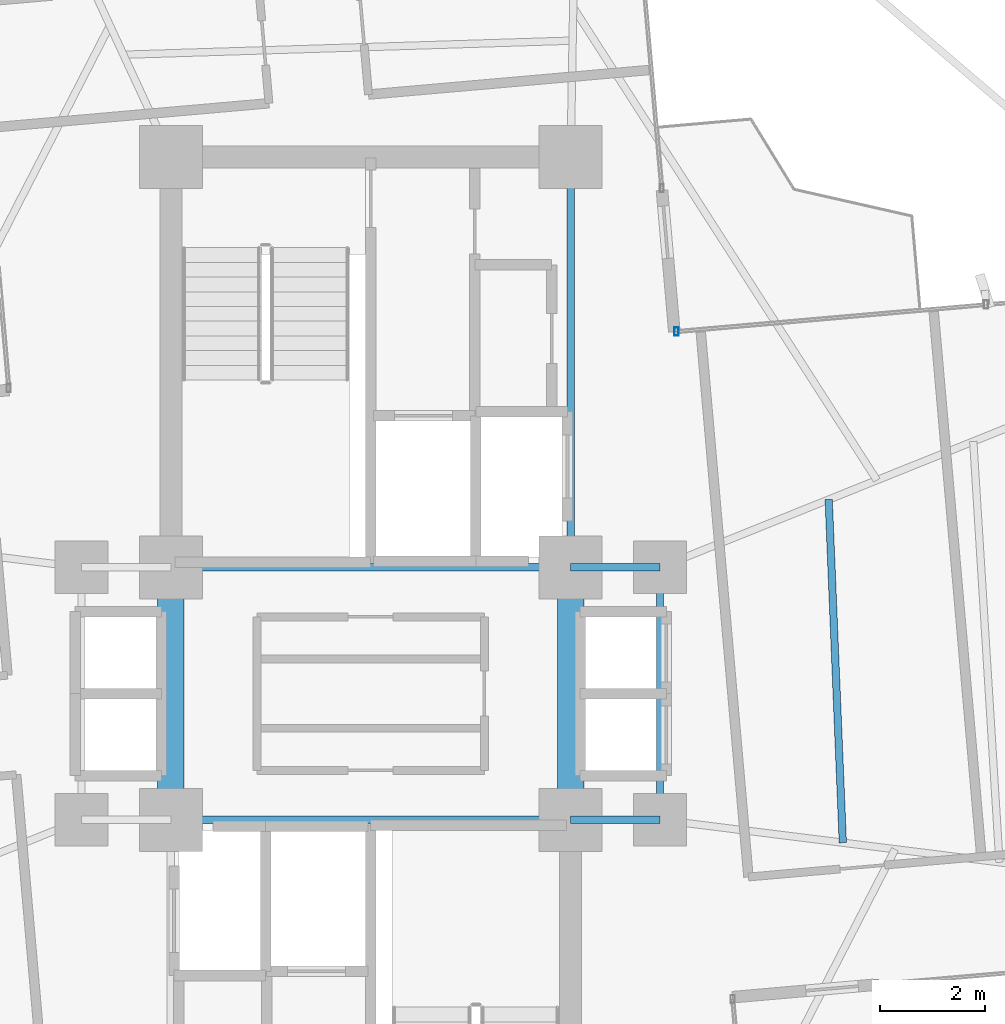
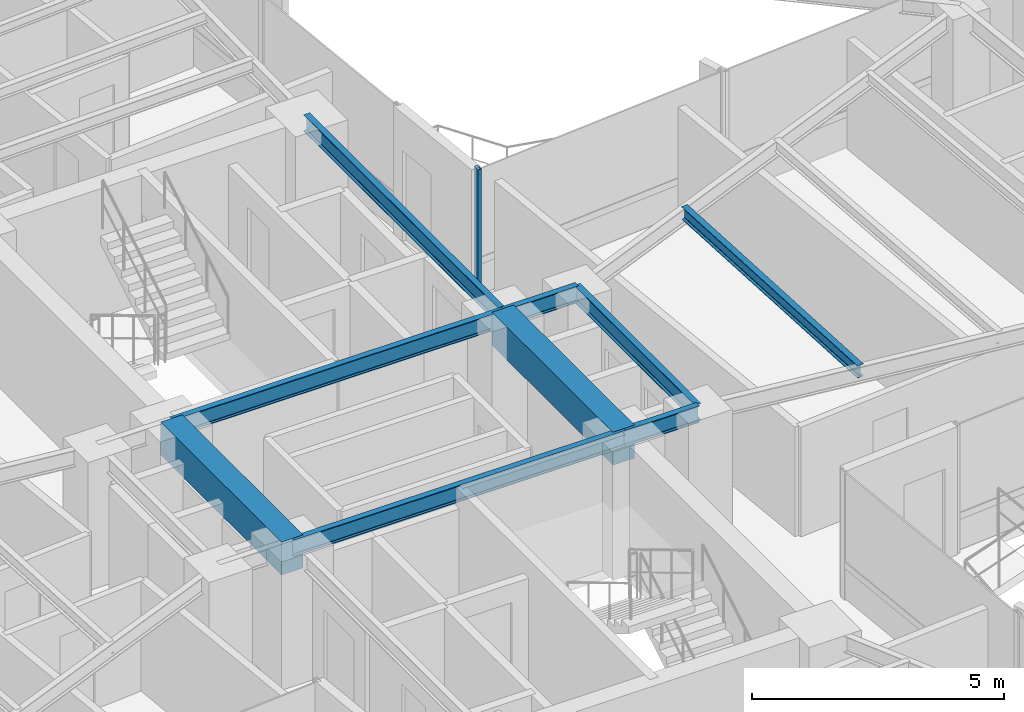
# One storey, part 11 of 24: 9 beams, 1 member, 1 element without a shape of its own.
"""IFC4 building model written with IfcOpenShell, lengths in metres."""

from ifc_helpers import new_model, si_unit, direction, frame, origin, origin_2d, place, context, subcontext, project, spatial, rectangle, hollow_rectangle, i_section, extrude, source, transform, mapped, material, material_profile, profile_set, type_object, element, aggregate, save


model = new_model("IFC4")

# Units and contexts
model_context = context("Model", 3, precision=1e-05, world=origin(), true_north=direction((0.0, 1.0)))
body_context = subcontext(model_context, "Body", "Model", "MODEL_VIEW")
ifc_project = project(units=[si_unit("LENGTHUNIT", "METRE"), si_unit("AREAUNIT", "SQUARE_METRE"), si_unit("VOLUMEUNIT", "CUBIC_METRE"), si_unit("PLANEANGLEUNIT", "RADIAN"), si_unit("MASSUNIT", "GRAM", prefix="KILO")], contexts=[model_context])

# Site, building, storey
site_placement = place(None, origin())
site = spatial("IfcSite", under=ifc_project, at=site_placement, CompositionType="ELEMENT")
building_placement = place(site_placement, origin())
building = spatial("IfcBuilding", under=site, at=building_placement, Name="Sahyath Konkavel Grand Hotel", CompositionType="ELEMENT")
storey_placement = place(building_placement, frame((0.0, 0.0, 157.300048828125)))
storey = spatial("IfcBuildingStorey", under=building, at=storey_placement, Name="L43", CompositionType="ELEMENT", Elevation=157.300048828125)

# Beams
ifc_material_1 = material(Name="Steel E350", Category="steel")
ifc_material_profile_1 = material_profile(ifc_material_1, i_section(OverallWidth=0.139892578125, OverallDepth=0.39990234375, WebThickness=0.0087890625, FlangeThickness=0.01611328125, FilletRadius=0.013916015625, at=origin_2d()), Name="ISMB 400")
ifc_profile_set_1 = profile_set([ifc_material_profile_1], Name="Steel E350")
beam_type_1 = type_object("IfcBeamType", Name="BM-ISMB400", PredefinedType="BEAM", material=ifc_profile_set_1)
shared_shape_1 = source(origin(), body_context, "Body", "SweptSolid", [
    extrude(i_section(OverallWidth=0.139892578125, OverallDepth=0.39990234375, WebThickness=0.0087890625, FlangeThickness=0.01611328125, FilletRadius=0.013916015625, at=origin_2d()), origin(), (0.0, 0.0, 1.0), 7.60009765625),
])
for number, where, z_axis, x_axis, name in (
    (1, (-3.800048828125, 2.39990234375, 2.909912109375), (1.0, 0.0, 0.0), (0.0, 1.0, 0.0), "str:bm:L43:NC-S"),
    (2, (-3.800048828125, -2.39990234375, 2.909912109375), (1.0, 0.0, 0.0), (0.0, 1.0, 0.0), "str:bm:L43:SC-N"),
):
    element("IfcBeam", number, at=place(storey_placement, frame(where, z_axis=z_axis, x_axis=x_axis)), inside=storey, type_object=beam_type_1, Name=name, PredefinedType="BEAM", context=body_context, shape_type="MappedRepresentation", body=[
        mapped(shared_shape_1, transform((0.0, 0.0, 0.0), scale=1.0)),
    ])
shared_shape_2 = source(origin(), body_context, "Body", "SweptSolid", [
    extrude(i_section(OverallWidth=0.139892578125, OverallDepth=0.39990234375, WebThickness=0.0087890625, FlangeThickness=0.01611328125, FilletRadius=0.013916015625, at=origin_2d()), origin(), (0.0, 0.0, 1.0), 7.800048828125),
])
beam_1_placement = place(storey_placement, frame((3.800048828125, 2.39990234375, 2.909912109375), z_axis=(0.0, 1.0, 0.0), x_axis=(-1.0, 0.0, 0.0)))
element("IfcBeam", 3, at=beam_1_placement, inside=storey, type_object=beam_type_1, Name="str:bm:L43:NC-E", PredefinedType="BEAM", context=body_context, shape_type="MappedRepresentation", body=[
    mapped(shared_shape_2, transform((0.0, 0.0, 0.0), scale=1.0)),
])
shared_shape_3 = source(origin(), body_context, "Body", "SweptSolid", [
    extrude(i_section(OverallWidth=0.139892578125, OverallDepth=0.39990234375, WebThickness=0.0087890625, FlangeThickness=0.01611328125, FilletRadius=0.013916015625, at=origin_2d()), origin(), (0.0, 0.0, 1.0), 1.699951171875),
])
for number, where, z_axis, x_axis, name in (
    (4, (3.800048828125, 2.39990234375, 2.909912109375), (1.0, 0.0, 0.0), (0.0, 1.0, 0.0), "str:bm:L43:HB-NE"),
    (5, (3.800048828125, -2.39990234375, 2.909912109375), (1.0, 0.0, 0.0), (0.0, 1.0, 0.0), "str:bm:L43:HB-SE"),
):
    element("IfcBeam", number, at=place(storey_placement, frame(where, z_axis=z_axis, x_axis=x_axis)), inside=storey, type_object=beam_type_1, Name=name, PredefinedType="BEAM", context=body_context, shape_type="MappedRepresentation", body=[
        mapped(shared_shape_3, transform((0.0, 0.0, 0.0), scale=1.0)),
    ])
shared_shape_4 = source(origin(), body_context, "Body", "SweptSolid", [
    extrude(i_section(OverallWidth=0.139892578125, OverallDepth=0.39990234375, WebThickness=0.0087890625, FlangeThickness=0.01611328125, FilletRadius=0.013916015625, at=origin_2d()), origin(), (0.0, 0.0, 1.0), 4.7998046875),
])
beam_2_placement = place(storey_placement, frame((5.5, -2.39990234375, 2.909912109375), z_axis=(0.0, 1.0, 0.0), x_axis=(-1.0, 0.0, 0.0)))
element("IfcBeam", 6, at=beam_2_placement, inside=storey, type_object=beam_type_1, Name="str:bm:L43:HB-E", PredefinedType="BEAM", context=body_context, shape_type="MappedRepresentation", body=[
    mapped(shared_shape_4, transform((0.0, 0.0, 0.0), scale=1.0)),
])
ifc_material_2 = material(Name="Concrete C50/60", Category="concrete")
ifc_material_profile_2 = material_profile(ifc_material_2, rectangle(XDim=0.5, YDim=0.800048828125, at=origin_2d()), Name="RC 500x800")
ifc_profile_set_2 = profile_set([ifc_material_profile_2], Name="Concrete C50/60")
beam_type_2 = type_object("IfcBeamType", Name="BM-CB500x800", PredefinedType="LINTEL", material=ifc_profile_set_2)
shared_shape_5 = source(origin(), body_context, "Body", "SweptSolid", [
    extrude(rectangle(XDim=0.5, YDim=0.800048828125, at=origin_2d()), origin(), (0.0, 0.0, 1.0), 4.7998046875),
])
for number, where, z_axis, x_axis, name in (
    (7, (-3.800048828125, -2.39990234375, 2.7099609375), (0.0, 1.0, 0.0), (-1.0, 0.0, 0.0), "L43 Split-Core Coupling Beam West"),
    (8, (3.800048828125, -2.39990234375, 2.7099609375), (0.0, 1.0, 0.0), (-1.0, 0.0, 0.0), "L43 Split-Core Coupling Beam East"),
):
    element("IfcBeam", number, at=place(storey_placement, frame(where, z_axis=z_axis, x_axis=x_axis)), inside=storey, type_object=beam_type_2, Name=name, PredefinedType="LINTEL", context=body_context, shape_type="MappedRepresentation", body=[
        mapped(shared_shape_5, transform((0.0, 0.0, 0.0), scale=1.0)),
    ])
ifc_material_profile_3 = material_profile(ifc_material_1, i_section(OverallWidth=0.139892578125, OverallDepth=0.300048828125, WebThickness=0.0078125, FlangeThickness=0.01318359375, FilletRadius=0.013916015625, at=origin_2d()), Name="ISMB 300")
ifc_profile_set_3 = profile_set([ifc_material_profile_3], Name="Steel E350")
beam_type_3 = type_object("IfcBeamType", Name="BM-ISMB300", PredefinedType="BEAM", material=ifc_profile_set_3)
shared_shape_6 = source(origin(), body_context, "Body", "SweptSolid", [
    extrude(i_section(OverallWidth=0.139892578125, OverallDepth=0.300048828125, WebThickness=0.0078125, FlangeThickness=0.01318359375, FilletRadius=0.013916015625, at=origin_2d()), origin(), (0.0, 0.0, 1.0), 6.530029296875),
])
beam_3_placement = place(storey_placement, frame((8.9755859375, -2.835205078125, 2.9599609375), z_axis=(-0.04112667768, 0.999153940283, 0.0), x_axis=(-0.999153940283, -0.04112667768, 0.0)))
element("IfcBeam", 9, at=beam_3_placement, inside=storey, type_object=beam_type_3, Name="L43 Secondary Floor Beam E-1", PredefinedType="BEAM", context=body_context, shape_type="MappedRepresentation", body=[
    mapped(shared_shape_6, transform((0.0, 0.0, 0.0), scale=1.0)),
])

# Curtain wall, member
ifc_material_3 = material(Name="Anodised Bronze Aluminium & Low-E Glazing", Category="aluminium")
curtain_wall_type = type_object("IfcCurtainWallType", Name="CW-ZONE3", PredefinedType="NOTDEFINED", material=ifc_material_3)
curtain_wall_placement = place(storey_placement, origin())
curtain_wall = element("IfcCurtainWall", 10, at=curtain_wall_placement, inside=storey, type_object=curtain_wall_type, Name="L43 Unitised Curtain Wall F7", PredefinedType="NOTDEFINED")
ifc_material_4 = material(Name="Anodised Bronze Aluminium", Category="aluminium")
ifc_material_profile_4 = material_profile(ifc_material_4, hollow_rectangle(XDim=0.080078125, YDim=0.159912109375, WallThickness=0.006103515625, at=origin_2d()), Name="RHS 160x80x6")
ifc_profile_set_4 = profile_set([ifc_material_profile_4], Name="Anodised Bronze Aluminium")
member_type = type_object("IfcMemberType", Name="CW-MUL-160", PredefinedType="MULLION", material=ifc_profile_set_4)
shared_shape_7 = source(origin(), body_context, "Body", "SweptSolid", [
    extrude(hollow_rectangle(XDim=0.080078125, YDim=0.159912109375, WallThickness=0.006103515625, at=origin_2d()), origin(), (0.0, 0.0, 1.0), 3.10986328125),
])
member_placement = place(storey_placement, frame((5.812255859375, 6.8828125, 0.0), z_axis=(0.0, 0.0, 1.0), x_axis=(1.0, 0.0, 0.0)))
member = element("IfcMember", 11, at=member_placement, type_object=member_type, Name="L43 Curtain Wall Mullion F7-2", PredefinedType="MULLION", context=body_context, shape_type="MappedRepresentation", body=[
    mapped(shared_shape_7, transform((0.0, 0.0, 0.0), scale=1.0)),
])
aggregate(curtain_wall, [member])

save(model, "model.ifc")
